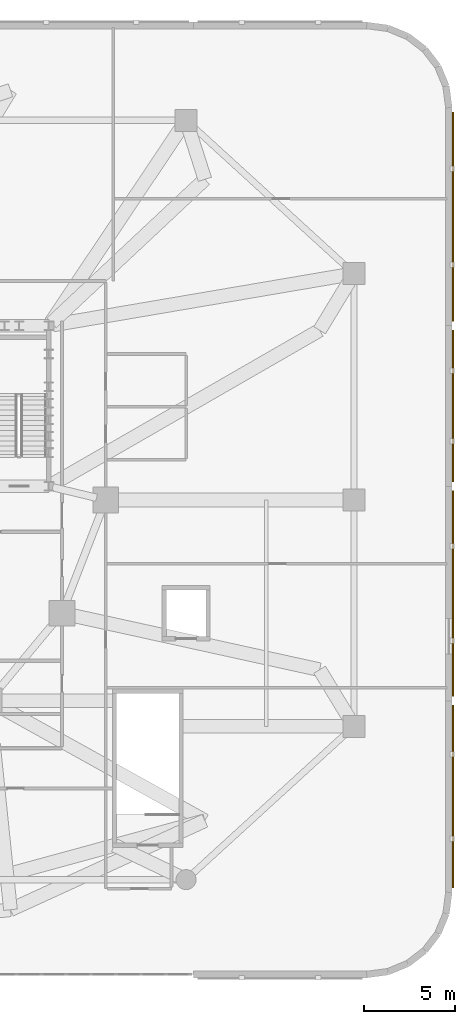
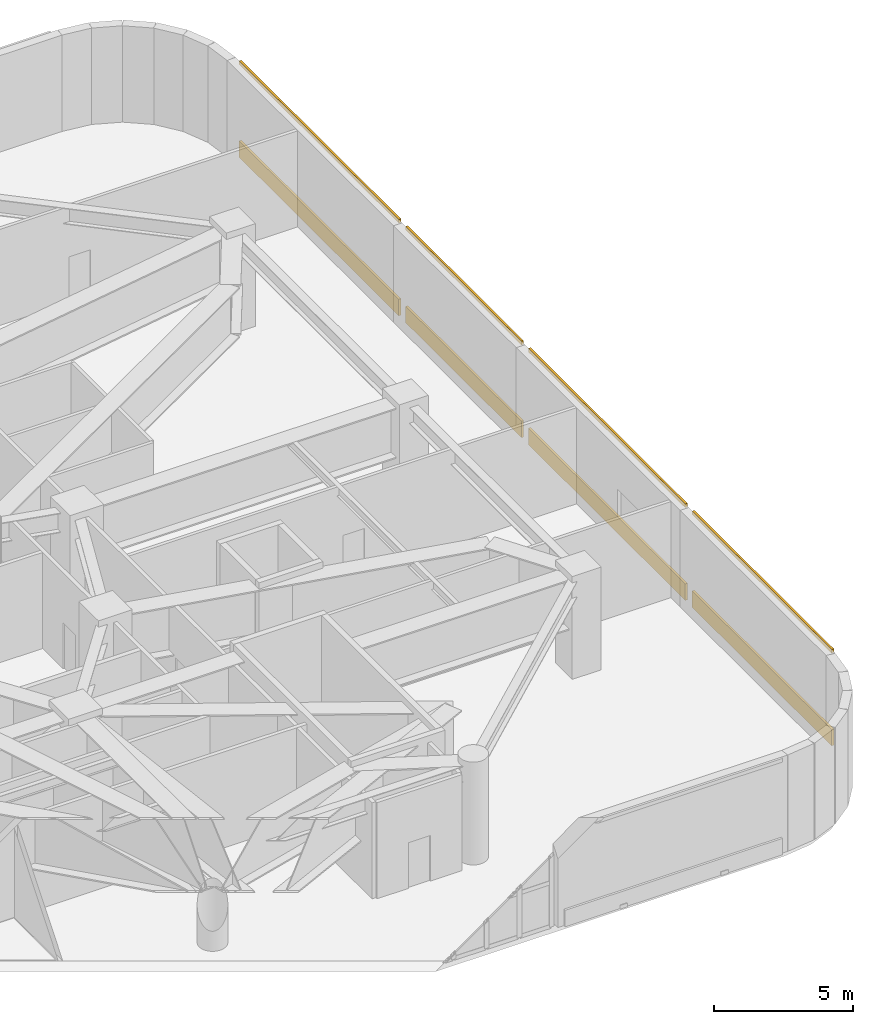
# One storey, part 26 of 26: 8 coverings.
"""IFC4 building model written with IfcOpenShell, lengths in metres."""

from ifc_helpers import new_model, si_unit, direction, frame, origin, place, context, subcontext, project, spatial, polyline, outline, extrude, material, layer, layer_set, type_object, element, save


model = new_model("IFC4")

# Units and contexts
model_context = context("Model", 3, precision=1e-05, world=origin(), true_north=direction((0.0, 1.0)))
body_context = subcontext(model_context, "Body", "Model", "MODEL_VIEW")
ifc_project = project(units=[si_unit("LENGTHUNIT", "METRE"), si_unit("AREAUNIT", "SQUARE_METRE"), si_unit("VOLUMEUNIT", "CUBIC_METRE"), si_unit("PLANEANGLEUNIT", "RADIAN"), si_unit("MASSUNIT", "GRAM", prefix="KILO")], contexts=[model_context])

# Site, building, storey
site_placement = place(None, origin())
site = spatial("IfcSite", under=ifc_project, at=site_placement, CompositionType="ELEMENT")
building_placement = place(site_placement, origin())
building = spatial("IfcBuilding", under=site, at=building_placement, Name="Haldorwick Loom Tower", CompositionType="ELEMENT")
storey_placement = place(building_placement, frame((0.0, 0.0, 19.5)))
storey = spatial("IfcBuildingStorey", under=building, at=storey_placement, Name="L04", CompositionType="ELEMENT", Elevation=19.5)

# Coverings
ifc_material = material(Name="Corbelled Pressed Clay Face Brick Veneer", Category="masonry")
ifc_layer = layer(ifc_material, 0.090087890625, Name="Corbelled Pressed Clay Face Brick Veneer", Category="masonry")
ifc_layer_set = layer_set([ifc_layer], Name="Corbelled Pressed Clay Face Brick Veneer")
covering_type = type_object("IfcCoveringType", Name="ARC-COV-BRICK090", PredefinedType="CLADDING", material=ifc_layer_set)
covering_1_placement = place(storey_placement, origin())
element("IfcCovering", 1, at=covering_1_placement, inside=storey, type_object=covering_type, Name="L04 Sill Face-Brick Spandrel 7", PredefinedType="CLADDING", context=body_context, shape_type="SweptSolid", body=[
    extrude(outline(polyline([(72.27001953125, 4.75), (72.27001953125, 14.75), (72.179931640625, 14.75), (72.179931640625, 4.75), (72.27001953125, 4.75)])), origin(), (0.0, 0.0, 1.0), 0.719970703125),
])
covering_2_placement = place(storey_placement, frame((0.0, 0.0, 4.06005859375)))
element("IfcCovering", 2, at=covering_2_placement, inside=storey, type_object=covering_type, Name="L04 Head Face-Brick Lintel Band 7", PredefinedType="CLADDING", context=body_context, shape_type="SweptSolid", body=[
    extrude(outline(polyline([(72.27001953125, 4.75), (72.27001953125, 14.75), (72.179931640625, 14.75), (72.179931640625, 4.75), (72.27001953125, 4.75)])), origin(), (0.0, 0.0, 1.0), 0.159912109375),
])
covering_3_placement = place(storey_placement, origin())
element("IfcCovering", 3, at=covering_3_placement, inside=storey, type_object=covering_type, Name="L04 Sill Face-Brick Spandrel 8", PredefinedType="CLADDING", context=body_context, shape_type="SweptSolid", body=[
    extrude(outline(polyline([(72.27001953125, 15.25), (72.27001953125, 26.5), (72.179931640625, 26.5), (72.179931640625, 15.25), (72.27001953125, 15.25)])), origin(), (0.0, 0.0, 1.0), 0.719970703125),
])
covering_4_placement = place(storey_placement, frame((0.0, 0.0, 4.06005859375)))
element("IfcCovering", 4, at=covering_4_placement, inside=storey, type_object=covering_type, Name="L04 Head Face-Brick Lintel Band 8", PredefinedType="CLADDING", context=body_context, shape_type="SweptSolid", body=[
    extrude(outline(polyline([(72.27001953125, 15.25), (72.27001953125, 26.5), (72.179931640625, 26.5), (72.179931640625, 15.25), (72.27001953125, 15.25)])), origin(), (0.0, 0.0, 1.0), 0.159912109375),
])
covering_5_placement = place(storey_placement, origin())
element("IfcCovering", 5, at=covering_5_placement, inside=storey, type_object=covering_type, Name="L04 Sill Face-Brick Spandrel 9", PredefinedType="CLADDING", context=body_context, shape_type="SweptSolid", body=[
    extrude(outline(polyline([(72.27001953125, 27.0), (72.27001953125, 35.300048828125), (72.179931640625, 35.300048828125), (72.179931640625, 27.0), (72.27001953125, 27.0)])), origin(), (0.0, 0.0, 1.0), 0.719970703125),
])
covering_6_placement = place(storey_placement, frame((0.0, 0.0, 4.06005859375)))
element("IfcCovering", 6, at=covering_6_placement, inside=storey, type_object=covering_type, Name="L04 Head Face-Brick Lintel Band 9", PredefinedType="CLADDING", context=body_context, shape_type="SweptSolid", body=[
    extrude(outline(polyline([(72.27001953125, 27.0), (72.27001953125, 35.300048828125), (72.179931640625, 35.300048828125), (72.179931640625, 27.0), (72.27001953125, 27.0)])), origin(), (0.0, 0.0, 1.0), 0.159912109375),
])
covering_7_placement = place(storey_placement, origin())
element("IfcCovering", 7, at=covering_7_placement, inside=storey, type_object=covering_type, Name="L04 Sill Face-Brick Spandrel 10", PredefinedType="CLADDING", context=body_context, shape_type="SweptSolid", body=[
    extrude(outline(polyline([(72.27001953125, 35.800048828125), (72.27001953125, 47.25), (72.179931640625, 47.25), (72.179931640625, 35.800048828125), (72.27001953125, 35.800048828125)])), origin(), (0.0, 0.0, 1.0), 0.719970703125),
])
covering_8_placement = place(storey_placement, frame((0.0, 0.0, 4.06005859375)))
element("IfcCovering", 8, at=covering_8_placement, inside=storey, type_object=covering_type, Name="L04 Head Face-Brick Lintel Band 10", PredefinedType="CLADDING", context=body_context, shape_type="SweptSolid", body=[
    extrude(outline(polyline([(72.27001953125, 35.800048828125), (72.27001953125, 47.25), (72.179931640625, 47.25), (72.179931640625, 35.800048828125), (72.27001953125, 35.800048828125)])), origin(), (0.0, 0.0, 1.0), 0.159912109375),
])

save(model, "model.ifc")
